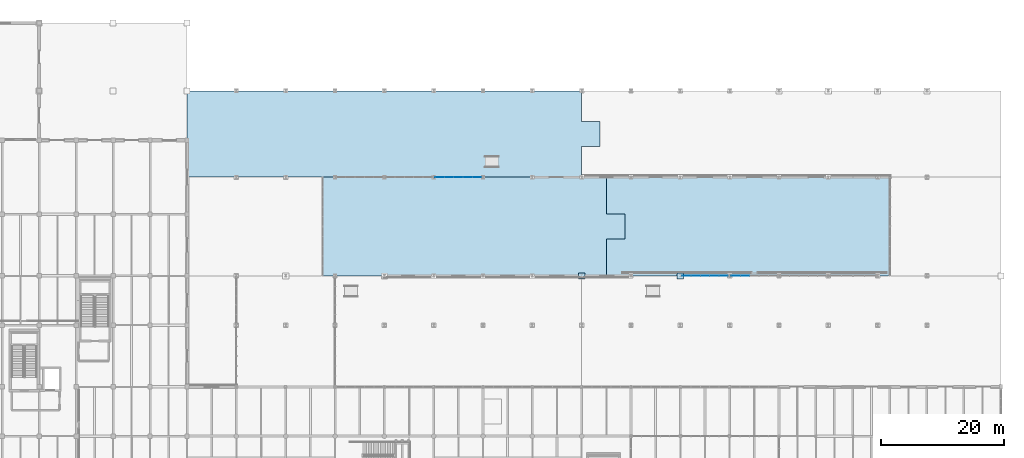
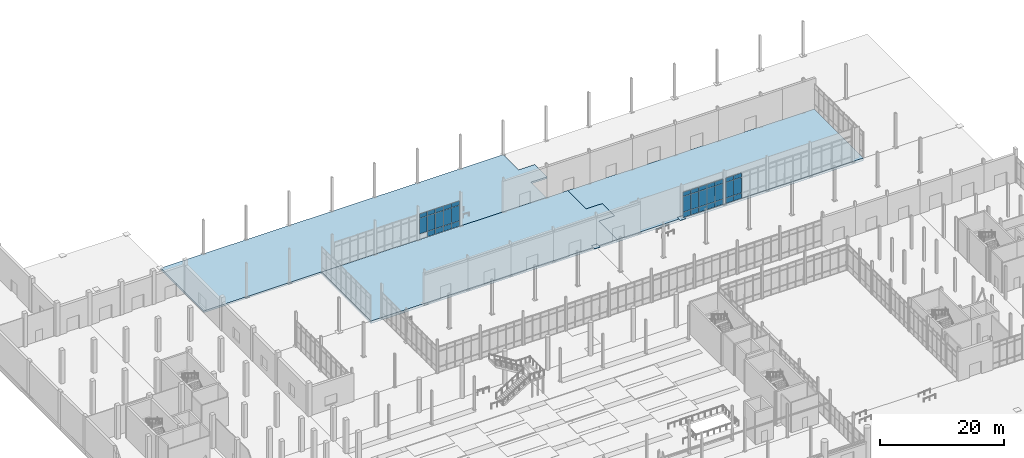
# One storey, part 105 of 140: 37 plates, 3 slabs, 3 elements without a shape of their own.
"""IFC4 building model written with IfcOpenShell, lengths in metres."""

import ifcopenshell
import ifcopenshell.guid

model = None  # the IFC model being written
_history = None  # IfcOwnerHistory: only IFC2X3 demands one
_inside = {}  # id of a spatial element -> (the spatial element, [elements in it])
_under = {}  # id of a project, library or spatial element -> (it, [spatial elements below it])
_declared = {}  # id of a project -> (the project, [libraries it declares])
_typed = {}  # id of a type object -> (the type object, [elements of that type])
_made_of = {}  # id of a material, layer set ... -> (it, [elements and type objects made of it])


def new_model(schema):
    """Start an empty IFC model of exactly this schema.

    Asked for "IFC4X3", IfcOpenShell would pick the latest addendum, in which some entities
    have other attributes; the version numbers below select the first issue.
    IFC2X3 requires an IfcOwnerHistory on every rooted entity: one is made here for all.
    """
    global model, _history
    if schema == "IFC4X3":
        model = ifcopenshell.file(schema_version=(4, 3, 0, 0))
    else:
        model = ifcopenshell.file(schema=schema)
    _inside.clear()
    _under.clear()
    _declared.clear()
    _typed.clear()
    _made_of.clear()
    _history = None
    if model.schema == "IFC2X3":
        org = make("IfcOrganization", Name="unknown")
        user = make(
            "IfcPersonAndOrganization",
            ThePerson=make("IfcPerson", FamilyName="unknown"),
            TheOrganization=org,
        )
        app = make(
            "IfcApplication",
            ApplicationDeveloper=org,
            Version="unknown",
            ApplicationFullName="unknown",
            ApplicationIdentifier="unknown",
        )
        _history = make(
            "IfcOwnerHistory",
            OwningUser=user,
            OwningApplication=app,
            ChangeAction="ADDED",
            CreationDate=0,
        )
    return model


def make(cls, **values):
    """One entity of the class cls with the attributes given. An attribute that is None is left unset."""
    return model.create_entity(
        cls, **{name: value for name, value in values.items() if value is not None}
    )


def rooted(cls, **values):
    """An entity with a GlobalId (a new one), such as an element, a storey or a relation."""
    return make(cls, GlobalId=ifcopenshell.guid.new(), OwnerHistory=_history, **values)


def si_unit(unit_type, name, prefix=None):
    """IfcSIUnit, for example si_unit("LENGTHUNIT", "METRE", prefix="MILLI")."""
    return make("IfcSIUnit", UnitType=unit_type, Prefix=prefix, Name=name)


def assignment(units):
    """IfcUnitAssignment: the units of a project."""
    return None if units is None else make("IfcUnitAssignment", Units=units)


def point(xyz):
    """IfcCartesianPoint."""
    return None if xyz is None else make("IfcCartesianPoint", Coordinates=xyz)


def direction(xyz):
    """IfcDirection."""
    return None if xyz is None else make("IfcDirection", DirectionRatios=xyz)


def frame(location, z_axis=None, x_axis=None):
    """IfcAxis2Placement3D, a coordinate frame: its origin and axes. An axis left out is left unset."""
    return make(
        "IfcAxis2Placement3D",
        Location=point(location),
        Axis=direction(z_axis),
        RefDirection=direction(x_axis),
    )


def frame_2d(location, x_axis=None):
    """IfcAxis2Placement2D, a coordinate frame in the plane: its origin and x axis."""
    return make(
        "IfcAxis2Placement2D", Location=point(location), RefDirection=direction(x_axis)
    )


def origin():
    """The frame at (0, 0, 0) with its axes left unset."""
    return frame((0.0, 0.0, 0.0))


def origin_2d():
    """The frame at (0, 0) in the plane with its x axis left unset."""
    return frame_2d((0.0, 0.0))


def place(relative_to, where):
    """IfcLocalPlacement: puts the frame where relative to a parent placement (None: the world)."""
    return make(
        "IfcLocalPlacement", PlacementRelTo=relative_to, RelativePlacement=where
    )


def context(
    kind, dimensions, precision=None, world=None, true_north=None, identifier=None
):
    """IfcGeometricRepresentationContext, for example the 3D "Model" context."""
    return make(
        "IfcGeometricRepresentationContext",
        ContextIdentifier=identifier,
        ContextType=kind,
        CoordinateSpaceDimension=dimensions,
        Precision=precision,
        WorldCoordinateSystem=world,
        TrueNorth=true_north,
    )


def subcontext(parent, identifier, kind, view, scale=None):
    """IfcGeometricRepresentationSubContext, for example "Body" below "Model"."""
    return make(
        "IfcGeometricRepresentationSubContext",
        ContextIdentifier=identifier,
        ContextType=kind,
        ParentContext=parent,
        TargetScale=scale,
        TargetView=view,
    )


def project(units=None, contexts=None):
    """IfcProject with its units and contexts."""
    return rooted(
        "IfcProject",
        Name="project",
        RepresentationContexts=contexts,
        UnitsInContext=assignment(units),
    )


def spatial(cls, under=None, at=None, **own):
    """A site, building, storey or space (cls), placed at a placement, below another one or the project."""
    s = rooted(cls, ObjectPlacement=at, **own)
    if under is not None:
        _under.setdefault(under.id(), (under, []))[1].append(s)
    return s


def polyline(points):
    """IfcPolyline through the points."""
    return make("IfcPolyline", Points=[point(p) for p in points])


def profile(cls, at=None, kind="AREA", **sizes):
    """A parametric profile (cls). Its sizes go by their IFC names, for example OverallWidth=200.0."""
    return make(cls, ProfileType=kind, Position=at, **sizes)


def rectangle(**sizes):
    """IfcRectangleProfileDef."""
    return profile("IfcRectangleProfileDef", **sizes)


def outline(outer, holes=None, kind="AREA"):
    """IfcArbitraryClosedProfileDef: a profile drawn as a closed curve; with holes, ...WithVoids."""
    if holes is None:
        return make("IfcArbitraryClosedProfileDef", ProfileType=kind, OuterCurve=outer)
    return make(
        "IfcArbitraryProfileDefWithVoids",
        ProfileType=kind,
        OuterCurve=outer,
        InnerCurves=holes,
    )


def extrude(swept, where, along, depth):
    """IfcExtrudedAreaSolid: the profile swept, set in the frame where, extruded along a direction by depth."""
    return make(
        "IfcExtrudedAreaSolid",
        SweptArea=swept,
        Position=where,
        ExtrudedDirection=direction(along),
        Depth=depth,
    )


def shape(context_of_items, identifier, shape_type, items):
    """IfcShapeRepresentation: the items that make up one representation, for example the "Body"."""
    return make(
        "IfcShapeRepresentation",
        ContextOfItems=context_of_items,
        RepresentationIdentifier=identifier,
        RepresentationType=shape_type,
        Items=items,
    )


def material(Name=None, Category=None):
    """IfcMaterial."""
    return make("IfcMaterial", Name=Name, Category=Category)


def layer(
    of_material, thickness, ventilated=None, Name=None, Category=None, Priority=None
):
    """IfcMaterialLayer: one layer of a wall or slab, of a material (None: an air gap)."""
    return make(
        "IfcMaterialLayer",
        Material=of_material,
        LayerThickness=thickness,
        IsVentilated=ventilated,
        Name=Name,
        Category=Category,
        Priority=Priority,
    )


def layer_set(layers, Name=None):
    """IfcMaterialLayerSet."""
    return make("IfcMaterialLayerSet", MaterialLayers=layers, LayerSetName=Name)


def made_of(thing, what):
    """Note that an element or type object is made of a material, layer set ...; save() writes the relation."""
    if what is not None:
        _made_of.setdefault(what.id(), (what, []))[1].append(thing)
    return thing


def type_object(cls, material=None, **own):
    """A type object (cls), such as IfcWallType, which elements share."""
    return made_of(rooted(cls, **own), material)


def element(
    cls,
    number,
    at=None,
    inside=None,
    cuts=None,
    type_object=None,
    material=None,
    context=None,
    identifier="Body",
    shape_type=None,
    held_by="IfcProductDefinitionShape",
    body=None,
    shapes=None,
    **own,
):
    """One element of the class cls, such as IfcWall. Its Tag is "e" and its number.

    at: its placement. inside: the storey or other place that contains it. cuts: it is an
    opening in that element (IfcRelVoidsElement). A single representation is given by context,
    identifier, shape_type and body (its items); several are given by shapes. held_by: the class
    of the entity that holds the representations. save() writes the other relations.
    """
    e = rooted(cls, Tag="e%d" % number, ObjectPlacement=at, **own)
    if body is not None:
        shapes = [shape(context, identifier, shape_type, body)]
    if shapes is not None:
        e.Representation = make(held_by, Representations=shapes)
    if inside is not None:
        _inside.setdefault(inside.id(), (inside, []))[1].append(e)
    if cuts is not None:
        rooted(
            "IfcRelVoidsElement", RelatingBuildingElement=cuts, RelatedOpeningElement=e
        )
    if type_object is not None:
        _typed.setdefault(type_object.id(), (type_object, []))[1].append(e)
    return made_of(e, material)


def aggregate(whole, parts):
    """IfcRelAggregates: a whole, such as a stair, and the parts it consists of."""
    return rooted("IfcRelAggregates", RelatingObject=whole, RelatedObjects=parts)


def save(model, path):
    """Write the relations noted so far, then the file.

    IfcRelAggregates (storeys below a building ...), IfcRelContainedInSpatialStructure (elements
    in a storey), IfcRelDefinesByType, IfcRelAssociatesMaterial and IfcRelDeclares: one each for
    every whole, place, type object, material and project.
    """
    for whole, parts in _under.values():
        aggregate(whole, parts)
    for where, things in _inside.values():
        rooted(
            "IfcRelContainedInSpatialStructure",
            RelatedElements=things,
            RelatingStructure=where,
        )
    for kind, things in _typed.values():
        rooted("IfcRelDefinesByType", RelatedObjects=things, RelatingType=kind)
    for what, things in _made_of.values():
        rooted("IfcRelAssociatesMaterial", RelatedObjects=things, RelatingMaterial=what)
    for by, libraries in _declared.values():
        rooted("IfcRelDeclares", RelatingContext=by, RelatedDefinitions=libraries)
    model.write(path)


model = new_model("IFC4")

# Units and contexts
model_context = context("Model", 3, precision=1e-05, world=origin(), true_north=direction((0.0, 1.0)))
body_context = subcontext(model_context, "Body", "Model", "MODEL_VIEW")
ifc_project = project(units=[si_unit("LENGTHUNIT", "METRE"), si_unit("AREAUNIT", "SQUARE_METRE"), si_unit("VOLUMEUNIT", "CUBIC_METRE"), si_unit("PLANEANGLEUNIT", "RADIAN"), si_unit("MASSUNIT", "GRAM", prefix="KILO")], contexts=[model_context])

# Site, building, storey
site_placement = place(None, origin())
site = spatial("IfcSite", under=ifc_project, at=site_placement, CompositionType="ELEMENT")
building_placement = place(site_placement, origin())
building = spatial("IfcBuilding", under=site, at=building_placement, Name="Verrall Gate Interchange", CompositionType="ELEMENT")
storey_placement = place(building_placement, origin())
storey = spatial("IfcBuildingStorey", under=building, at=storey_placement, Name="L01", CompositionType="ELEMENT", Elevation=0.0)

# Plates
ifc_material_1 = material(Name="Structural Steel CSA G40.21 350WT Cat 4", Category="steel")
ifc_layer_1 = layer(ifc_material_1, 0.06005859375)
ifc_layer_set_1 = layer_set([ifc_layer_1], Name="Structural Steel CSA G40.21 350WT Cat 4")
plate_type_1 = type_object("IfcPlateType", Name="BP-03 Base Plate 60", PredefinedType="USERDEFINED", material=ifc_layer_set_1)
for number, where, z_axis, x_axis, name in (
    (1, (100.0, 74.0, 0.0), (0.0, 0.0, 1.0), (1.0, 0.0, 0.0), "Apron Pier Cap Plate 1638"),
    (2, (116.0, 74.0, 0.0), (0.0, 0.0, 1.0), (1.0, 0.0, 0.0), "Apron Pier Cap Plate 1640"),
):
    element("IfcPlate", number, at=place(storey_placement, frame(where, z_axis=z_axis, x_axis=x_axis)), inside=storey, type_object=plate_type_1, Name=name, ObjectType="BASE_PLATE", PredefinedType="USERDEFINED", context=body_context, shape_type="SweptSolid", body=[
        extrude(rectangle(XDim=1.0, YDim=1.0, at=origin_2d()), origin(), (0.0, 0.0, 1.0), 0.06005859375),
    ])

# Curtain wall, plates
ifc_material_2 = material(Name="Thermally Broken Anodized Aluminium Curtain Wall Framing", Category="aluminium")
curtain_wall_type = type_object("IfcCurtainWallType", Name="CW-06 Unitized Curtain Wall 7631x5100", PredefinedType="NOTDEFINED", material=ifc_material_2)
curtain_wall_1_placement = place(storey_placement, origin())
curtain_wall_1 = element("IfcCurtainWall", 3, at=curtain_wall_1_placement, inside=storey, type_object=curtain_wall_type, Name="L01 Unitized Curtain Wall CW-L01-025", PredefinedType="NOTDEFINED")
ifc_material_3 = material(Name="Triple-Glazed Low-E Argon Insulated Curtain Panel (U=1.45)", Category="glass")
ifc_layer_2 = layer(ifc_material_3, 0.030029296875)
ifc_layer_set_2 = layer_set([ifc_layer_2], Name="Triple-Glazed Low-E Argon Insulated Curtain Panel (U=1.45)")
plate_type_2 = type_object("IfcPlateType", Name="CP-01 Curtain Glazing Panel 30", PredefinedType="CURTAIN_PANEL", material=ifc_layer_set_2)
plate_1_placement = place(storey_placement, frame((116.991943359375, 74.0, 0.06298828125), z_axis=(0.0, 0.0, 1.0), x_axis=(1.0, 0.0, 0.0)))
plate_1 = element("IfcPlate", 4, at=plate_1_placement, type_object=plate_type_2, Name="CW-L01-025 Glazing Panel 1.1", PredefinedType="CURTAIN_PANEL", context=body_context, shape_type="SweptSolid", body=[
    extrude(rectangle(XDim=1.4248046875, YDim=0.030029296875, at=origin_2d()), origin(), (0.0, 0.0, 1.0), 1.011474609375),
])
plate_2_placement = place(storey_placement, frame((116.991943359375, 74.0, 1.12548828125), z_axis=(0.0, 0.0, 1.0), x_axis=(1.0, 0.0, 0.0)))
plate_2 = element("IfcPlate", 5, at=plate_2_placement, type_object=plate_type_2, Name="CW-L01-025 Glazing Panel 1.2", PredefinedType="CURTAIN_PANEL", context=body_context, shape_type="SweptSolid", body=[
    extrude(rectangle(XDim=1.4248046875, YDim=0.030029296875, at=origin_2d()), origin(), (0.0, 0.0, 1.0), 3.049072265625),
])
plate_3_placement = place(storey_placement, frame((116.991943359375, 74.0, 4.225341796875), z_axis=(0.0, 0.0, 1.0), x_axis=(1.0, 0.0, 0.0)))
plate_3 = element("IfcPlate", 6, at=plate_3_placement, type_object=plate_type_2, Name="CW-L01-025 Glazing Panel 1.3", PredefinedType="CURTAIN_PANEL", context=body_context, shape_type="SweptSolid", body=[
    extrude(rectangle(XDim=1.4248046875, YDim=0.030029296875, at=origin_2d()), origin(), (0.0, 0.0, 1.0), 0.8115234375),
])
plate_4_placement = place(storey_placement, frame((118.486572265625, 74.0, 0.06298828125), z_axis=(0.0, 0.0, 1.0), x_axis=(1.0, 0.0, 0.0)))
plate_4 = element("IfcPlate", 7, at=plate_4_placement, type_object=plate_type_2, Name="CW-L01-025 Glazing Panel 2.1", PredefinedType="CURTAIN_PANEL", context=body_context, shape_type="SweptSolid", body=[
    extrude(rectangle(XDim=1.46240234375, YDim=0.030029296875, at=origin_2d()), origin(), (0.0, 0.0, 1.0), 1.011474609375),
])
plate_5_placement = place(storey_placement, frame((118.486572265625, 74.0, 1.12548828125), z_axis=(0.0, 0.0, 1.0), x_axis=(1.0, 0.0, 0.0)))
plate_5 = element("IfcPlate", 8, at=plate_5_placement, type_object=plate_type_2, Name="CW-L01-025 Glazing Panel 2.2", PredefinedType="CURTAIN_PANEL", context=body_context, shape_type="SweptSolid", body=[
    extrude(rectangle(XDim=1.46240234375, YDim=0.030029296875, at=origin_2d()), origin(), (0.0, 0.0, 1.0), 3.049072265625),
])
plate_6_placement = place(storey_placement, frame((118.486572265625, 74.0, 4.225341796875), z_axis=(0.0, 0.0, 1.0), x_axis=(1.0, 0.0, 0.0)))
plate_6 = element("IfcPlate", 9, at=plate_6_placement, type_object=plate_type_2, Name="CW-L01-025 Glazing Panel 2.3", PredefinedType="CURTAIN_PANEL", context=body_context, shape_type="SweptSolid", body=[
    extrude(rectangle(XDim=1.46240234375, YDim=0.030029296875, at=origin_2d()), origin(), (0.0, 0.0, 1.0), 0.8115234375),
])
plate_7_placement = place(storey_placement, frame((120.0, 74.0, 0.06298828125), z_axis=(0.0, 0.0, 1.0), x_axis=(1.0, 0.0, 0.0)))
plate_7 = element("IfcPlate", 10, at=plate_7_placement, type_object=plate_type_2, Name="CW-L01-025 Glazing Panel 3.1", PredefinedType="CURTAIN_PANEL", context=body_context, shape_type="SweptSolid", body=[
    extrude(rectangle(XDim=1.46240234375, YDim=0.030029296875, at=origin_2d()), origin(), (0.0, 0.0, 1.0), 1.011474609375),
])
plate_8_placement = place(storey_placement, frame((120.0, 74.0, 1.12548828125), z_axis=(0.0, 0.0, 1.0), x_axis=(1.0, 0.0, 0.0)))
plate_8 = element("IfcPlate", 11, at=plate_8_placement, type_object=plate_type_2, Name="CW-L01-025 Glazing Panel 3.2", PredefinedType="CURTAIN_PANEL", context=body_context, shape_type="SweptSolid", body=[
    extrude(rectangle(XDim=1.46240234375, YDim=0.030029296875, at=origin_2d()), origin(), (0.0, 0.0, 1.0), 3.049072265625),
])
plate_9_placement = place(storey_placement, frame((120.0, 74.0, 4.225341796875), z_axis=(0.0, 0.0, 1.0), x_axis=(1.0, 0.0, 0.0)))
plate_9 = element("IfcPlate", 12, at=plate_9_placement, type_object=plate_type_2, Name="CW-L01-025 Glazing Panel 3.3", PredefinedType="CURTAIN_PANEL", context=body_context, shape_type="SweptSolid", body=[
    extrude(rectangle(XDim=1.46240234375, YDim=0.030029296875, at=origin_2d()), origin(), (0.0, 0.0, 1.0), 0.8115234375),
])
plate_10_placement = place(storey_placement, frame((121.513427734375, 74.0, 0.06298828125), z_axis=(0.0, 0.0, 1.0), x_axis=(1.0, 0.0, 0.0)))
plate_10 = element("IfcPlate", 13, at=plate_10_placement, type_object=plate_type_2, Name="CW-L01-025 Glazing Panel 4.1", PredefinedType="CURTAIN_PANEL", context=body_context, shape_type="SweptSolid", body=[
    extrude(rectangle(XDim=1.46240234375, YDim=0.030029296875, at=origin_2d()), origin(), (0.0, 0.0, 1.0), 1.011474609375),
])
plate_11_placement = place(storey_placement, frame((121.513427734375, 74.0, 1.12548828125), z_axis=(0.0, 0.0, 1.0), x_axis=(1.0, 0.0, 0.0)))
plate_11 = element("IfcPlate", 14, at=plate_11_placement, type_object=plate_type_2, Name="CW-L01-025 Glazing Panel 4.2", PredefinedType="CURTAIN_PANEL", context=body_context, shape_type="SweptSolid", body=[
    extrude(rectangle(XDim=1.46240234375, YDim=0.030029296875, at=origin_2d()), origin(), (0.0, 0.0, 1.0), 3.049072265625),
])
plate_12_placement = place(storey_placement, frame((121.513427734375, 74.0, 4.225341796875), z_axis=(0.0, 0.0, 1.0), x_axis=(1.0, 0.0, 0.0)))
plate_12 = element("IfcPlate", 15, at=plate_12_placement, type_object=plate_type_2, Name="CW-L01-025 Glazing Panel 4.3", PredefinedType="CURTAIN_PANEL", context=body_context, shape_type="SweptSolid", body=[
    extrude(rectangle(XDim=1.46240234375, YDim=0.030029296875, at=origin_2d()), origin(), (0.0, 0.0, 1.0), 0.8115234375),
])
plate_13_placement = place(storey_placement, frame((123.008056640625, 74.0, 0.06298828125), z_axis=(0.0, 0.0, 1.0), x_axis=(1.0, 0.0, 0.0)))
plate_13 = element("IfcPlate", 16, at=plate_13_placement, type_object=plate_type_2, Name="CW-L01-025 Glazing Panel 5.1", PredefinedType="CURTAIN_PANEL", context=body_context, shape_type="SweptSolid", body=[
    extrude(rectangle(XDim=1.4248046875, YDim=0.030029296875, at=origin_2d()), origin(), (0.0, 0.0, 1.0), 1.011474609375),
])
plate_14_placement = place(storey_placement, frame((123.008056640625, 74.0, 1.12548828125), z_axis=(0.0, 0.0, 1.0), x_axis=(1.0, 0.0, 0.0)))
plate_14 = element("IfcPlate", 17, at=plate_14_placement, type_object=plate_type_2, Name="CW-L01-025 Glazing Panel 5.2", PredefinedType="CURTAIN_PANEL", context=body_context, shape_type="SweptSolid", body=[
    extrude(rectangle(XDim=1.4248046875, YDim=0.030029296875, at=origin_2d()), origin(), (0.0, 0.0, 1.0), 3.049072265625),
])
plate_15_placement = place(storey_placement, frame((123.008056640625, 74.0, 4.225341796875), z_axis=(0.0, 0.0, 1.0), x_axis=(1.0, 0.0, 0.0)))
plate_15 = element("IfcPlate", 18, at=plate_15_placement, type_object=plate_type_2, Name="CW-L01-025 Glazing Panel 5.3", PredefinedType="CURTAIN_PANEL", context=body_context, shape_type="SweptSolid", body=[
    extrude(rectangle(XDim=1.4248046875, YDim=0.030029296875, at=origin_2d()), origin(), (0.0, 0.0, 1.0), 0.8115234375),
])
aggregate(curtain_wall_1, [plate_1, plate_2, plate_3, plate_4, plate_5, plate_6, plate_7, plate_8, plate_9, plate_10, plate_11, plate_12, plate_13, plate_14, plate_15])

curtain_wall_2_placement = place(storey_placement, origin())
curtain_wall_2 = element("IfcCurtainWall", 19, at=curtain_wall_2_placement, inside=storey, type_object=curtain_wall_type, Name="L01 Unitized Curtain Wall CW-L01-032", PredefinedType="NOTDEFINED")
plate_16_placement = place(storey_placement, frame((83.010498046875, 90.0, 0.0546875), z_axis=(0.0, 0.0, 1.0), x_axis=(-1.0, 0.0, 0.0)))
plate_16 = element("IfcPlate", 20, at=plate_16_placement, type_object=plate_type_2, Name="CW-L01-032 Glazing Panel 1.1", PredefinedType="CURTAIN_PANEL", context=body_context, shape_type="SweptSolid", body=[
    extrude(rectangle(XDim=1.436767578125, YDim=0.030029296875, at=origin_2d()), origin(), (0.0, 0.0, 1.0), 1.023193359375),
])
plate_17_placement = place(storey_placement, frame((83.010498046875, 90.0, 1.1220703125), z_axis=(0.0, 0.0, 1.0), x_axis=(-1.0, 0.0, 0.0)))
plate_17 = element("IfcPlate", 21, at=plate_17_placement, type_object=plate_type_2, Name="CW-L01-032 Glazing Panel 1.2", PredefinedType="CURTAIN_PANEL", context=body_context, shape_type="SweptSolid", body=[
    extrude(rectangle(XDim=1.436767578125, YDim=0.030029296875, at=origin_2d()), origin(), (0.0, 0.0, 1.0), 3.055908203125),
])
plate_18_placement = place(storey_placement, frame((83.010498046875, 90.0, 4.22216796875), z_axis=(0.0, 0.0, 1.0), x_axis=(-1.0, 0.0, 0.0)))
plate_18 = element("IfcPlate", 22, at=plate_18_placement, type_object=plate_type_2, Name="CW-L01-032 Glazing Panel 1.3", PredefinedType="CURTAIN_PANEL", context=body_context, shape_type="SweptSolid", body=[
    extrude(rectangle(XDim=1.436767578125, YDim=0.030029296875, at=origin_2d()), origin(), (0.0, 0.0, 1.0), 0.8232421875),
])
plate_19_placement = place(storey_placement, frame((81.513427734375, 90.0, 0.0546875), z_axis=(0.0, 0.0, 1.0), x_axis=(-1.0, 0.0, 0.0)))
plate_19 = element("IfcPlate", 23, at=plate_19_placement, type_object=plate_type_2, Name="CW-L01-032 Glazing Panel 2.1", PredefinedType="CURTAIN_PANEL", context=body_context, shape_type="SweptSolid", body=[
    extrude(rectangle(XDim=1.46923828125, YDim=0.030029296875, at=origin_2d()), origin(), (0.0, 0.0, 1.0), 1.023193359375),
])
plate_20_placement = place(storey_placement, frame((81.513427734375, 90.0, 1.1220703125), z_axis=(0.0, 0.0, 1.0), x_axis=(-1.0, 0.0, 0.0)))
plate_20 = element("IfcPlate", 24, at=plate_20_placement, type_object=plate_type_2, Name="CW-L01-032 Glazing Panel 2.2", PredefinedType="CURTAIN_PANEL", context=body_context, shape_type="SweptSolid", body=[
    extrude(rectangle(XDim=1.46923828125, YDim=0.030029296875, at=origin_2d()), origin(), (0.0, 0.0, 1.0), 3.055908203125),
])
plate_21_placement = place(storey_placement, frame((81.513427734375, 90.0, 4.22216796875), z_axis=(0.0, 0.0, 1.0), x_axis=(-1.0, 0.0, 0.0)))
plate_21 = element("IfcPlate", 25, at=plate_21_placement, type_object=plate_type_2, Name="CW-L01-032 Glazing Panel 2.3", PredefinedType="CURTAIN_PANEL", context=body_context, shape_type="SweptSolid", body=[
    extrude(rectangle(XDim=1.46923828125, YDim=0.030029296875, at=origin_2d()), origin(), (0.0, 0.0, 1.0), 0.8232421875),
])
plate_22_placement = place(storey_placement, frame((80.0, 90.0, 0.0546875), z_axis=(0.0, 0.0, 1.0), x_axis=(-1.0, 0.0, 0.0)))
plate_22 = element("IfcPlate", 26, at=plate_22_placement, type_object=plate_type_2, Name="CW-L01-032 Glazing Panel 3.1", PredefinedType="CURTAIN_PANEL", context=body_context, shape_type="SweptSolid", body=[
    extrude(rectangle(XDim=1.46923828125, YDim=0.030029296875, at=origin_2d()), origin(), (0.0, 0.0, 1.0), 1.023193359375),
])
plate_23_placement = place(storey_placement, frame((80.0, 90.0, 1.1220703125), z_axis=(0.0, 0.0, 1.0), x_axis=(-1.0, 0.0, 0.0)))
plate_23 = element("IfcPlate", 27, at=plate_23_placement, type_object=plate_type_2, Name="CW-L01-032 Glazing Panel 3.2", PredefinedType="CURTAIN_PANEL", context=body_context, shape_type="SweptSolid", body=[
    extrude(rectangle(XDim=1.46923828125, YDim=0.030029296875, at=origin_2d()), origin(), (0.0, 0.0, 1.0), 3.055908203125),
])
plate_24_placement = place(storey_placement, frame((80.0, 90.0, 4.22216796875), z_axis=(0.0, 0.0, 1.0), x_axis=(-1.0, 0.0, 0.0)))
plate_24 = element("IfcPlate", 28, at=plate_24_placement, type_object=plate_type_2, Name="CW-L01-032 Glazing Panel 3.3", PredefinedType="CURTAIN_PANEL", context=body_context, shape_type="SweptSolid", body=[
    extrude(rectangle(XDim=1.46923828125, YDim=0.030029296875, at=origin_2d()), origin(), (0.0, 0.0, 1.0), 0.8232421875),
])
plate_25_placement = place(storey_placement, frame((78.486572265625, 90.0, 0.0546875), z_axis=(0.0, 0.0, 1.0), x_axis=(-1.0, 0.0, 0.0)))
plate_25 = element("IfcPlate", 29, at=plate_25_placement, type_object=plate_type_2, Name="CW-L01-032 Glazing Panel 4.1", PredefinedType="CURTAIN_PANEL", context=body_context, shape_type="SweptSolid", body=[
    extrude(rectangle(XDim=1.46923828125, YDim=0.030029296875, at=origin_2d()), origin(), (0.0, 0.0, 1.0), 1.023193359375),
])
plate_26_placement = place(storey_placement, frame((78.486572265625, 90.0, 1.1220703125), z_axis=(0.0, 0.0, 1.0), x_axis=(-1.0, 0.0, 0.0)))
plate_26 = element("IfcPlate", 30, at=plate_26_placement, type_object=plate_type_2, Name="CW-L01-032 Glazing Panel 4.2", PredefinedType="CURTAIN_PANEL", context=body_context, shape_type="SweptSolid", body=[
    extrude(rectangle(XDim=1.46923828125, YDim=0.030029296875, at=origin_2d()), origin(), (0.0, 0.0, 1.0), 3.055908203125),
])
plate_27_placement = place(storey_placement, frame((78.486572265625, 90.0, 4.22216796875), z_axis=(0.0, 0.0, 1.0), x_axis=(-1.0, 0.0, 0.0)))
plate_27 = element("IfcPlate", 31, at=plate_27_placement, type_object=plate_type_2, Name="CW-L01-032 Glazing Panel 4.3", PredefinedType="CURTAIN_PANEL", context=body_context, shape_type="SweptSolid", body=[
    extrude(rectangle(XDim=1.46923828125, YDim=0.030029296875, at=origin_2d()), origin(), (0.0, 0.0, 1.0), 0.8232421875),
])
plate_28_placement = place(storey_placement, frame((76.989501953125, 90.0, 1.1220703125), z_axis=(0.0, 0.0, 1.0), x_axis=(-1.0, 0.0, 0.0)))
plate_28 = element("IfcPlate", 32, at=plate_28_placement, type_object=plate_type_2, Name="CW-L01-032 Glazing Panel 5.2", PredefinedType="CURTAIN_PANEL", context=body_context, shape_type="SweptSolid", body=[
    extrude(rectangle(XDim=1.436767578125, YDim=0.030029296875, at=origin_2d()), origin(), (0.0, 0.0, 1.0), 3.055908203125),
])
plate_29_placement = place(storey_placement, frame((76.989501953125, 90.0, 4.22216796875), z_axis=(0.0, 0.0, 1.0), x_axis=(-1.0, 0.0, 0.0)))
plate_29 = element("IfcPlate", 33, at=plate_29_placement, type_object=plate_type_2, Name="CW-L01-032 Glazing Panel 5.3", PredefinedType="CURTAIN_PANEL", context=body_context, shape_type="SweptSolid", body=[
    extrude(rectangle(XDim=1.436767578125, YDim=0.030029296875, at=origin_2d()), origin(), (0.0, 0.0, 1.0), 0.8232421875),
])
aggregate(curtain_wall_2, [plate_16, plate_17, plate_18, plate_19, plate_20, plate_21, plate_22, plate_23, plate_24, plate_25, plate_26, plate_27, plate_28, plate_29])

curtain_wall_3_placement = place(storey_placement, origin())
curtain_wall_3 = element("IfcCurtainWall", 34, at=curtain_wall_3_placement, inside=storey, type_object=curtain_wall_type, Name="L01 Unitized Curtain Wall CW-L01-026", PredefinedType="NOTDEFINED")
ifc_material_4 = material(Name="Triple-Glazed Low-E Argon Insulated Curtain Panel (U=1.45)", Category="glass")
ifc_layer_3 = layer(ifc_material_4, 0.0400390625)
ifc_layer_set_3 = layer_set([ifc_layer_3], Name="Triple-Glazed Low-E Argon Insulated Curtain Panel (U=1.45)")
plate_type_3 = type_object("IfcPlateType", Name="CP-02 Curtain Glazing Panel 40", PredefinedType="CURTAIN_PANEL", material=ifc_layer_set_3)
plate_30_placement = place(storey_placement, frame((124.989501953125, 74.0, 0.0546875), z_axis=(0.0, 0.0, 1.0), x_axis=(1.0, 0.0, 0.0)))
plate_30 = element("IfcPlate", 35, at=plate_30_placement, type_object=plate_type_3, Name="CW-L01-026 Glazing Panel 1.1", PredefinedType="CURTAIN_PANEL", context=body_context, shape_type="SweptSolid", body=[
    extrude(rectangle(XDim=1.436767578125, YDim=0.0400390625, at=origin_2d()), origin(), (0.0, 0.0, 1.0), 1.023193359375),
])
plate_31_placement = place(storey_placement, frame((124.989501953125, 74.0, 1.1220703125), z_axis=(0.0, 0.0, 1.0), x_axis=(1.0, 0.0, 0.0)))
plate_31 = element("IfcPlate", 36, at=plate_31_placement, type_object=plate_type_3, Name="CW-L01-026 Glazing Panel 1.2", PredefinedType="CURTAIN_PANEL", context=body_context, shape_type="SweptSolid", body=[
    extrude(rectangle(XDim=1.436767578125, YDim=0.0400390625, at=origin_2d()), origin(), (0.0, 0.0, 1.0), 3.055908203125),
])
plate_32_placement = place(storey_placement, frame((124.989501953125, 74.0, 4.22216796875), z_axis=(0.0, 0.0, 1.0), x_axis=(1.0, 0.0, 0.0)))
plate_32 = element("IfcPlate", 37, at=plate_32_placement, type_object=plate_type_3, Name="CW-L01-026 Glazing Panel 1.3", PredefinedType="CURTAIN_PANEL", context=body_context, shape_type="SweptSolid", body=[
    extrude(rectangle(XDim=1.436767578125, YDim=0.0400390625, at=origin_2d()), origin(), (0.0, 0.0, 1.0), 0.8232421875),
])
plate_33_placement = place(storey_placement, frame((126.486572265625, 74.0, 0.0546875), z_axis=(0.0, 0.0, 1.0), x_axis=(1.0, 0.0, 0.0)))
plate_33 = element("IfcPlate", 38, at=plate_33_placement, type_object=plate_type_3, Name="CW-L01-026 Glazing Panel 2.1", PredefinedType="CURTAIN_PANEL", context=body_context, shape_type="SweptSolid", body=[
    extrude(rectangle(XDim=1.46923828125, YDim=0.0400390625, at=origin_2d()), origin(), (0.0, 0.0, 1.0), 1.023193359375),
])
plate_34_placement = place(storey_placement, frame((126.486572265625, 74.0, 1.1220703125), z_axis=(0.0, 0.0, 1.0), x_axis=(1.0, 0.0, 0.0)))
plate_34 = element("IfcPlate", 39, at=plate_34_placement, type_object=plate_type_3, Name="CW-L01-026 Glazing Panel 2.2", PredefinedType="CURTAIN_PANEL", context=body_context, shape_type="SweptSolid", body=[
    extrude(rectangle(XDim=1.46923828125, YDim=0.0400390625, at=origin_2d()), origin(), (0.0, 0.0, 1.0), 3.055908203125),
])
plate_35_placement = place(storey_placement, frame((126.486572265625, 74.0, 4.22216796875), z_axis=(0.0, 0.0, 1.0), x_axis=(1.0, 0.0, 0.0)))
plate_35 = element("IfcPlate", 40, at=plate_35_placement, type_object=plate_type_3, Name="CW-L01-026 Glazing Panel 2.3", PredefinedType="CURTAIN_PANEL", context=body_context, shape_type="SweptSolid", body=[
    extrude(rectangle(XDim=1.46923828125, YDim=0.0400390625, at=origin_2d()), origin(), (0.0, 0.0, 1.0), 0.8232421875),
])
aggregate(curtain_wall_3, [plate_30, plate_31, plate_32, plate_33, plate_34, plate_35])

# Slabs
ifc_material_5 = material(Name="Concrete CSA A23.1 35 MPa (Class S-2)", Category="concrete")
ifc_layer_4 = layer(ifc_material_5, 0.5)
ifc_layer_set_4 = layer_set([ifc_layer_4], Name="Concrete CSA A23.1 35 MPa (Class S-2)")
slab_type_1 = type_object("IfcSlabType", Name="FS-02 Base Slab 500", PredefinedType="BASESLAB", material=ifc_layer_set_4)
slab_1_placement = place(storey_placement, frame((0.0, 0.0, -0.5)))
element("IfcSlab", 41, at=slab_1_placement, inside=storey, type_object=slab_type_1, Name="L01 Structural Slab SLB-L01-13", PredefinedType="BASESLAB", context=body_context, shape_type="SweptSolid", body=[
    extrude(outline(polyline([(58.0, 90.0), (104.0, 90.0), (104.0, 84.0), (107.0, 84.0), (107.0, 80.0), (104.0, 80.0), (104.0, 74.0), (60.0, 74.0), (58.0, 74.0), (58.0, 90.0)])), origin(), (0.0, 0.0, 1.0), 0.5),
])
slab_2_placement = place(storey_placement, frame((0.0, 0.0, -0.5)))
element("IfcSlab", 42, at=slab_2_placement, inside=storey, type_object=slab_type_1, Name="L01 Structural Slab SLB-L01-14", PredefinedType="BASESLAB", context=body_context, shape_type="SweptSolid", body=[
    extrude(outline(polyline([(150.0, 74.0), (104.0, 74.0), (104.0, 80.0), (107.0, 80.0), (107.0, 84.0), (104.0, 84.0), (104.0, 90.0), (150.0, 90.0), (150.0, 74.0)])), origin(), (0.0, 0.0, 1.0), 0.5),
])
ifc_material_6 = material(Name="Concrete CSA A23.1 40 MPa (Class C-1)", Category="concrete")
ifc_layer_5 = layer(ifc_material_6, 0.35009765625)
ifc_layer_set_5 = layer_set([ifc_layer_5], Name="Concrete CSA A23.1 40 MPa (Class C-1)")
slab_type_2 = type_object("IfcSlabType", Name="FS-05 Floor Slab 350", PredefinedType="FLOOR", material=ifc_layer_set_5)
slab_3_placement = place(storey_placement, frame((0.0, 0.0, -0.35009765625)))
element("IfcSlab", 43, at=slab_3_placement, inside=storey, type_object=slab_type_2, Name="L01 Structural Slab SLB-L01-AP3", PredefinedType="FLOOR", context=body_context, shape_type="SweptSolid", body=[
    extrude(outline(polyline([(36.0, 96.0), (36.0, 104.0), (100.0, 104.0), (100.0, 99.0), (103.0, 99.0), (103.0, 95.0), (100.0, 95.0), (100.0, 90.0), (58.0, 90.0), (36.0, 90.0), (36.0, 96.0)])), origin(), (0.0, 0.0, 1.0), 0.35009765625),
])

save(model, "model.ifc")
